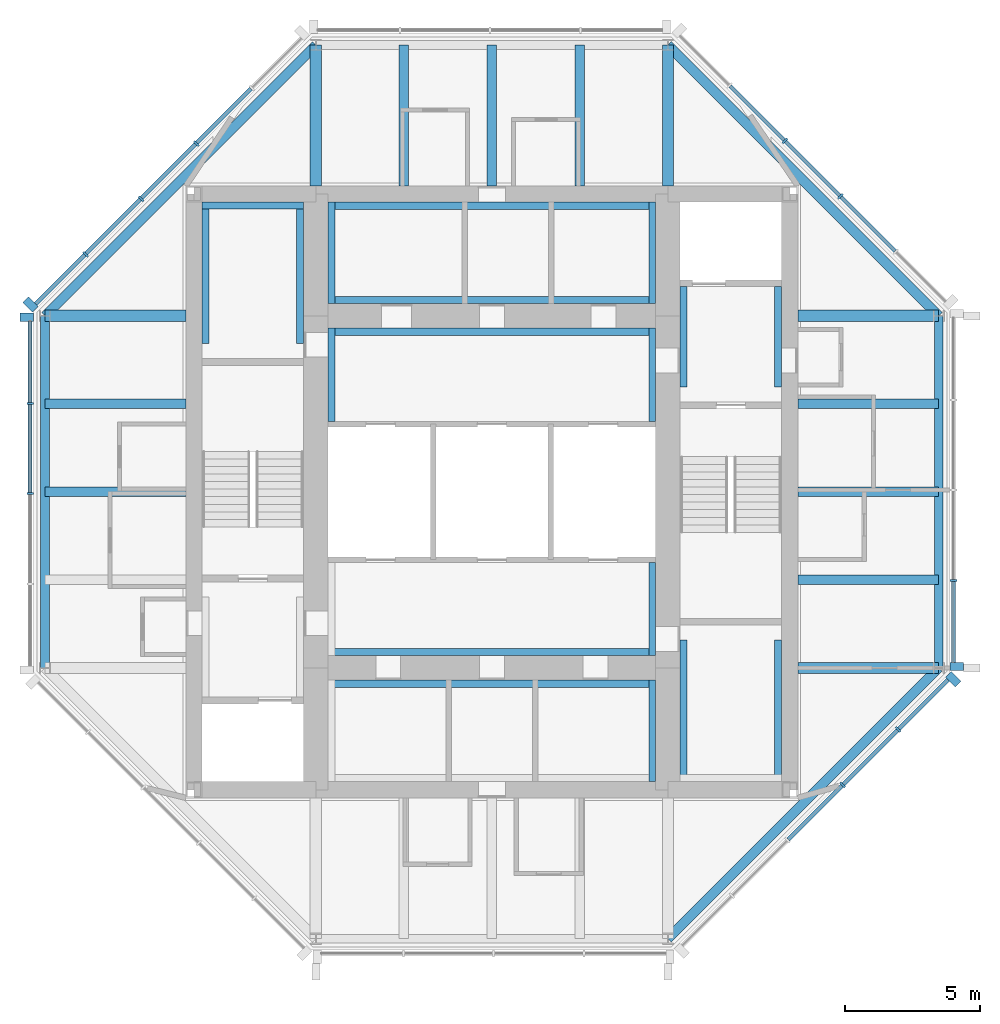
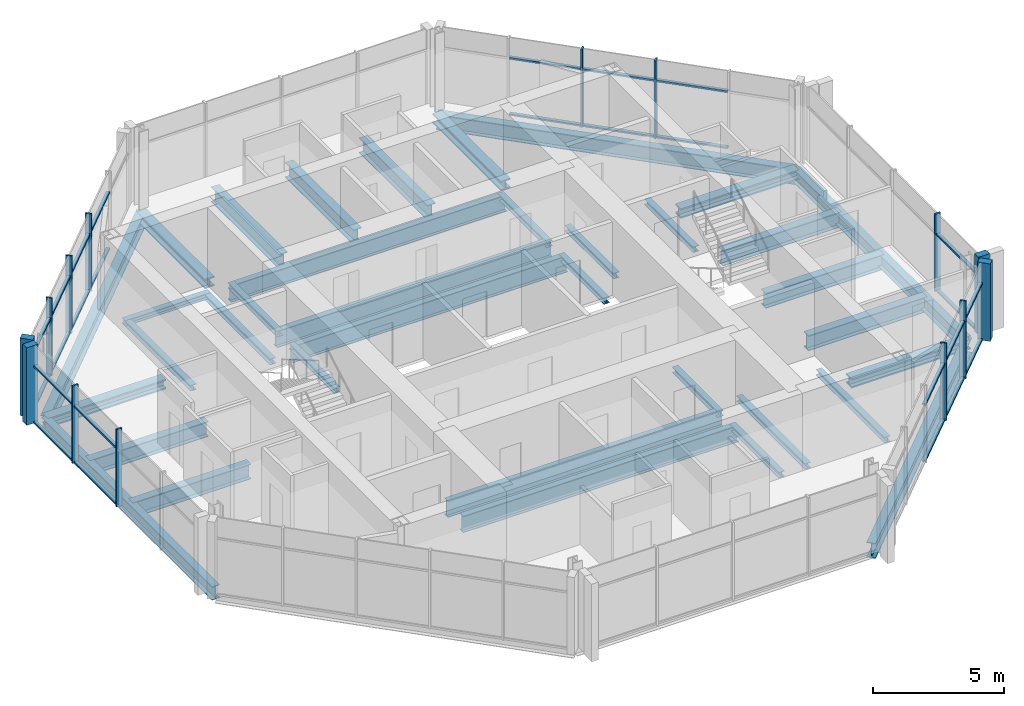
# One storey, part 2 of 8: 40 members, 36 beams, 5 elements without a shape of their own.
"""IFC4 building model written with IfcOpenShell, lengths in metres."""

from ifc_helpers import new_model, si_unit, direction, frame, origin, origin_2d, place, context, subcontext, project, spatial, rectangle, i_section, extrude, material, material_profile, profile_set, type_object, element, aggregate, save


model = new_model("IFC4")

# Units and contexts
model_context = context("Model", 3, precision=1e-05, world=origin(), true_north=direction((0.0, 1.0)))
body_context = subcontext(model_context, "Body", "Model", "MODEL_VIEW")
ifc_project = project(units=[si_unit("LENGTHUNIT", "METRE"), si_unit("AREAUNIT", "SQUARE_METRE"), si_unit("VOLUMEUNIT", "CUBIC_METRE"), si_unit("PLANEANGLEUNIT", "RADIAN"), si_unit("MASSUNIT", "GRAM", prefix="KILO")], contexts=[model_context])

# Site, building, storey
site_placement = place(None, origin())
site = spatial("IfcSite", under=ifc_project, at=site_placement, CompositionType="ELEMENT")
building_placement = place(site_placement, origin())
building = spatial("IfcBuilding", under=site, at=building_placement, Name="Trevanion Tower", CompositionType="ELEMENT")
storey_placement = place(building_placement, frame((0.0, 0.0, 270.39990234375)))
storey = spatial("IfcBuildingStorey", under=building, at=storey_placement, Name="L66", CompositionType="ELEMENT", Elevation=270.39990234375)

# Beams
ifc_material_1 = material(Name="Steel ASTM A992 Grade 50", Category="steel")
ifc_material_profile_1 = material_profile(ifc_material_1, i_section(OverallWidth=0.355712890625, OverallDepth=0.700927734375, WebThickness=0.016845703125, FlangeThickness=0.02734375, at=origin_2d()), Name="W27X161")
ifc_profile_set_1 = profile_set([ifc_material_profile_1], Name="Steel ASTM A992 Grade 50")
beam_type_1 = type_object("IfcBeamType", Name="B15 W27X161", PredefinedType="BEAM", material=ifc_profile_set_1)
for number, where, z_axis, x_axis, name in (
    (1, (11.300048828125, -3.25, -0.540283203125), (1.0, 0.0, 0.0), (0.0, 1.0, 0.0), "B15 L66"),
    (2, (11.300048828125, 0.0, -0.540283203125), (1.0, 0.0, 0.0), (0.0, 1.0, 0.0), "B15 L66"),
    (3, (11.300048828125, 3.25, -0.540283203125), (1.0, 0.0, 0.0), (0.0, 1.0, 0.0), "B15 L66"),
    (4, (3.25, 11.300048828125, -0.540283203125), (0.0, 1.0, 0.0), (-1.0, 0.0, 0.0), "B15 L66"),
    (5, (0.0, 11.300048828125, -0.540283203125), (0.0, 1.0, 0.0), (-1.0, 0.0, 0.0), "B15 L66"),
    (6, (-3.25, 11.300048828125, -0.540283203125), (0.0, 1.0, 0.0), (-1.0, 0.0, 0.0), "B15 L66"),
    (7, (-11.300048828125, 3.25, -0.540283203125), (-1.0, 0.0, 0.0), (0.0, -1.0, 0.0), "B15 L66"),
    (8, (-11.300048828125, 0.0, -0.540283203125), (-1.0, 0.0, 0.0), (0.0, -1.0, 0.0), "B15 L66"),
):
    element("IfcBeam", number, at=place(storey_placement, frame(where, z_axis=z_axis, x_axis=x_axis)), inside=storey, type_object=beam_type_1, Name=name, PredefinedType="BEAM", context=body_context, shape_type="SweptSolid", body=[
        extrude(i_section(OverallWidth=0.355712890625, OverallDepth=0.700927734375, WebThickness=0.016845703125, FlangeThickness=0.02734375, at=origin_2d()), origin(), (0.0, 0.0, 1.0), 5.199951171875),
    ])

# Curtain wall, member
ifc_material_2 = material(Name="Aluminium and glass", Category="aluminium")
curtain_wall_type = type_object("IfcCurtainWallType", Name="CW4 curtain wall", PredefinedType="USERDEFINED", material=ifc_material_2)
curtain_wall_1_placement = place(storey_placement, origin())
curtain_wall_1 = element("IfcCurtainWall", 9, at=curtain_wall_1_placement, inside=storey, type_object=curtain_wall_type, Name="CW4 L66 0", ObjectType="UNITISED CURTAIN WALL", PredefinedType="USERDEFINED")
ifc_material_3 = material(Name="Aluminium extrusion, anodised bronze", Category="aluminium")
ifc_material_profile_2 = material_profile(ifc_material_3, rectangle(XDim=0.074951171875, YDim=0.25, at=origin_2d()), Name="CW4 mullion")
ifc_profile_set_2 = profile_set([ifc_material_profile_2], Name="Aluminium extrusion, anodised bronze")
member_type_1 = type_object("IfcMemberType", Name="CW4 mullion", PredefinedType="MULLION", material=ifc_profile_set_2)
member_1_placement = place(storey_placement, frame((17.050048828125, -3.266357421875, -0.18994140625), z_axis=(0.0, 0.0, 1.0), x_axis=(0.0, 1.0, 0.0)))
member_1 = element("IfcMember", 10, at=member_1_placement, type_object=member_type_1, Name="CW4 mullion 2", PredefinedType="MULLION", context=body_context, shape_type="SweptSolid", body=[
    extrude(rectangle(XDim=0.074951171875, YDim=0.25, at=origin_2d()), origin(), (0.0, 0.0, 1.0), 3.60009765625),
])

# Curtain wall, members
curtain_wall_2_placement = place(storey_placement, origin())
curtain_wall_2 = element("IfcCurtainWall", 11, at=curtain_wall_2_placement, inside=storey, type_object=curtain_wall_type, Name="CW4 L66 1", ObjectType="UNITISED CURTAIN WALL", PredefinedType="USERDEFINED")
member_2_placement = place(storey_placement, frame((12.865966796875, 10.911865234375, -0.18994140625), z_axis=(0.0, 0.0, 1.0), x_axis=(-0.707106781187, 0.707106781187, 0.0)))
member_2 = element("IfcMember", 12, at=member_2_placement, type_object=member_type_1, Name="CW4 mullion 3", PredefinedType="MULLION", context=body_context, shape_type="SweptSolid", body=[
    extrude(rectangle(XDim=0.074951171875, YDim=0.25, at=origin_2d()), origin(), (0.0, 0.0, 1.0), 3.60009765625),
])
member_3_placement = place(storey_placement, frame((10.81982421875, 12.9580078125, -0.18994140625), z_axis=(0.0, 0.0, 1.0), x_axis=(-0.707106781187, 0.707106781187, 0.0)))
member_3 = element("IfcMember", 13, at=member_3_placement, type_object=member_type_1, Name="CW4 mullion 4", PredefinedType="MULLION", context=body_context, shape_type="SweptSolid", body=[
    extrude(rectangle(XDim=0.074951171875, YDim=0.25, at=origin_2d()), origin(), (0.0, 0.0, 1.0), 3.60009765625),
])

curtain_wall_3_placement = place(storey_placement, origin())
curtain_wall_3 = element("IfcCurtainWall", 14, at=curtain_wall_3_placement, inside=storey, type_object=curtain_wall_type, Name="CW4 L66 3", ObjectType="UNITISED CURTAIN WALL", PredefinedType="USERDEFINED")
member_4_placement = place(storey_placement, frame((-10.911865234375, 12.865966796875, -0.18994140625), z_axis=(0.0, 0.0, 1.0), x_axis=(-0.707106781187, -0.707106781187, 0.0)))
member_4 = element("IfcMember", 15, at=member_4_placement, type_object=member_type_1, Name="CW4 mullion 3", PredefinedType="MULLION", context=body_context, shape_type="SweptSolid", body=[
    extrude(rectangle(XDim=0.074951171875, YDim=0.25, at=origin_2d()), origin(), (0.0, 0.0, 1.0), 3.60009765625),
])
member_5_placement = place(storey_placement, frame((-12.9580078125, 10.81982421875, -0.18994140625), z_axis=(0.0, 0.0, 1.0), x_axis=(-0.707106781187, -0.707106781187, 0.0)))
member_5 = element("IfcMember", 16, at=member_5_placement, type_object=member_type_1, Name="CW4 mullion 4", PredefinedType="MULLION", context=body_context, shape_type="SweptSolid", body=[
    extrude(rectangle(XDim=0.074951171875, YDim=0.25, at=origin_2d()), origin(), (0.0, 0.0, 1.0), 3.60009765625),
])
member_6_placement = place(storey_placement, frame((-15.00390625, 8.77392578125, -0.18994140625), z_axis=(0.0, 0.0, 1.0), x_axis=(-0.707106781187, -0.707106781187, 0.0)))
member_6 = element("IfcMember", 17, at=member_6_placement, type_object=member_type_1, Name="CW4 mullion 5", PredefinedType="MULLION", context=body_context, shape_type="SweptSolid", body=[
    extrude(rectangle(XDim=0.074951171875, YDim=0.25, at=origin_2d()), origin(), (0.0, 0.0, 1.0), 3.60009765625),
])

curtain_wall_4_placement = place(storey_placement, origin())
curtain_wall_4 = element("IfcCurtainWall", 18, at=curtain_wall_4_placement, inside=storey, type_object=curtain_wall_type, Name="CW4 L66 4", ObjectType="UNITISED CURTAIN WALL", PredefinedType="USERDEFINED")
member_7_placement = place(storey_placement, frame((-17.050048828125, 3.266357421875, -0.18994140625), z_axis=(0.0, 0.0, 1.0), x_axis=(0.0, -1.0, 0.0)))
member_7 = element("IfcMember", 19, at=member_7_placement, type_object=member_type_1, Name="CW4 mullion 2", PredefinedType="MULLION", context=body_context, shape_type="SweptSolid", body=[
    extrude(rectangle(XDim=0.074951171875, YDim=0.25, at=origin_2d()), origin(), (0.0, 0.0, 1.0), 3.60009765625),
])
member_8_placement = place(storey_placement, frame((-17.050048828125, -0.06494140625, -0.18994140625), z_axis=(0.0, 0.0, 1.0), x_axis=(0.0, -1.0, 0.0)))
member_8 = element("IfcMember", 20, at=member_8_placement, type_object=member_type_1, Name="CW4 mullion 3", PredefinedType="MULLION", context=body_context, shape_type="SweptSolid", body=[
    extrude(rectangle(XDim=0.074951171875, YDim=0.25, at=origin_2d()), origin(), (0.0, 0.0, 1.0), 3.60009765625),
])

curtain_wall_5_placement = place(storey_placement, origin())
curtain_wall_5 = element("IfcCurtainWall", 21, at=curtain_wall_5_placement, inside=storey, type_object=curtain_wall_type, Name="CW4 L66 7", ObjectType="UNITISED CURTAIN WALL", PredefinedType="USERDEFINED")
member_9_placement = place(storey_placement, frame((12.9580078125, -10.81982421875, -0.18994140625), z_axis=(0.0, 0.0, 1.0), x_axis=(0.707106781187, 0.707106781187, 0.0)))
member_9 = element("IfcMember", 22, at=member_9_placement, type_object=member_type_1, Name="CW4 mullion 4", PredefinedType="MULLION", context=body_context, shape_type="SweptSolid", body=[
    extrude(rectangle(XDim=0.074951171875, YDim=0.25, at=origin_2d()), origin(), (0.0, 0.0, 1.0), 3.60009765625),
])
member_10_placement = place(storey_placement, frame((15.00390625, -8.77392578125, -0.18994140625), z_axis=(0.0, 0.0, 1.0), x_axis=(0.707106781187, 0.707106781187, 0.0)))
member_10 = element("IfcMember", 23, at=member_10_placement, type_object=member_type_1, Name="CW4 mullion 5", PredefinedType="MULLION", context=body_context, shape_type="SweptSolid", body=[
    extrude(rectangle(XDim=0.074951171875, YDim=0.25, at=origin_2d()), origin(), (0.0, 0.0, 1.0), 3.60009765625),
])

# Member
ifc_material_4 = material(Name="Aluminium extrusion, anodised bronze", Category="aluminium")
ifc_material_profile_3 = material_profile(ifc_material_4, rectangle(XDim=0.300048828125, YDim=0.5, at=origin_2d()), Name="CW4 pier mullion")
ifc_profile_set_3 = profile_set([ifc_material_profile_3], Name="Aluminium extrusion, anodised bronze")
member_type_2 = type_object("IfcMemberType", Name="CW4 pier mullion", PredefinedType="MULLION", material=ifc_profile_set_3)
member_11_placement = place(storey_placement, frame((17.175048828125, -6.44775390625, -0.18994140625), z_axis=(0.0, 0.0, 1.0), x_axis=(0.0, 1.0, 0.0)))
member_11 = element("IfcMember", 24, at=member_11_placement, type_object=member_type_2, Name="CW4 pier mullion 1", PredefinedType="MULLION", context=body_context, shape_type="SweptSolid", body=[
    extrude(rectangle(XDim=0.300048828125, YDim=0.5, at=origin_2d()), origin(), (0.0, 0.0, 1.0), 3.60009765625),
])

member_12_placement = place(storey_placement, frame((-17.0322265625, 6.92236328125, -0.18994140625), z_axis=(0.0, 0.0, 1.0), x_axis=(-0.707106781187, -0.707106781187, 0.0)))
member_12 = element("IfcMember", 25, at=member_12_placement, type_object=member_type_2, Name="CW4 pier mullion 6", PredefinedType="MULLION", context=body_context, shape_type="SweptSolid", body=[
    extrude(rectangle(XDim=0.300048828125, YDim=0.5, at=origin_2d()), origin(), (0.0, 0.0, 1.0), 3.60009765625),
])

member_13_placement = place(storey_placement, frame((-17.175048828125, 6.44775390625, -0.18994140625), z_axis=(0.0, 0.0, 1.0), x_axis=(0.0, -1.0, 0.0)))
member_13 = element("IfcMember", 26, at=member_13_placement, type_object=member_type_2, Name="CW4 pier mullion 1", PredefinedType="MULLION", context=body_context, shape_type="SweptSolid", body=[
    extrude(rectangle(XDim=0.300048828125, YDim=0.5, at=origin_2d()), origin(), (0.0, 0.0, 1.0), 3.60009765625),
])

member_14_placement = place(storey_placement, frame((17.0322265625, -6.92236328125, -0.18994140625), z_axis=(0.0, 0.0, 1.0), x_axis=(0.707106781187, 0.707106781187, 0.0)))
member_14 = element("IfcMember", 27, at=member_14_placement, type_object=member_type_2, Name="CW4 pier mullion 6", PredefinedType="MULLION", context=body_context, shape_type="SweptSolid", body=[
    extrude(rectangle(XDim=0.300048828125, YDim=0.5, at=origin_2d()), origin(), (0.0, 0.0, 1.0), 3.60009765625),
])

ifc_material_5 = material(Name="Aluminium extrusion, anodised bronze", Category="aluminium")
ifc_material_profile_4 = material_profile(ifc_material_5, rectangle(XDim=0.14990234375, YDim=0.074951171875, at=origin_2d()), Name="CW4 transom")
ifc_profile_set_4 = profile_set([ifc_material_profile_4], Name="Aluminium extrusion, anodised bronze")
member_type_3 = type_object("IfcMemberType", Name="CW4 transom", PredefinedType="USERDEFINED", material=ifc_profile_set_4)
member_15_placement = place(storey_placement, frame((17.050048828125, -6.2978515625, -0.15234375), z_axis=(0.0, 1.0, 0.0), x_axis=(-1.0, 0.0, 0.0)))
member_15 = element("IfcMember", 28, at=member_15_placement, type_object=member_type_3, Name="CW4 transom 1.1", ObjectType="TRANSOM", PredefinedType="USERDEFINED", context=body_context, shape_type="SweptSolid", body=[
    extrude(rectangle(XDim=0.14990234375, YDim=0.074951171875, at=origin_2d()), origin(), (0.0, 0.0, 1.0), 2.993896484375),
])

member_16_placement = place(storey_placement, frame((17.050048828125, -6.2978515625, 2.460205078125), z_axis=(0.0, 1.0, 0.0), x_axis=(-1.0, 0.0, 0.0)))
member_16 = element("IfcMember", 29, at=member_16_placement, type_object=member_type_3, Name="CW4 transom 1.2", ObjectType="TRANSOM", PredefinedType="USERDEFINED", context=body_context, shape_type="SweptSolid", body=[
    extrude(rectangle(XDim=0.14990234375, YDim=0.074951171875, at=origin_2d()), origin(), (0.0, 0.0, 1.0), 2.993896484375),
])

aggregate(curtain_wall_1, [member_11, member_1, member_15, member_16])

member_17_placement = place(storey_placement, frame((14.885498046875, 8.892333984375, -0.15234375), z_axis=(-0.707106781187, 0.707106781187, 0.0), x_axis=(-0.707106781187, -0.707106781187, 0.0)))
member_17 = element("IfcMember", 30, at=member_17_placement, type_object=member_type_3, Name="CW4 transom 2.1", ObjectType="TRANSOM", PredefinedType="USERDEFINED", context=body_context, shape_type="SweptSolid", body=[
    extrude(rectangle(XDim=0.14990234375, YDim=0.074951171875, at=origin_2d()), origin(), (0.0, 0.0, 1.0), 2.818359375),
])

member_18_placement = place(storey_placement, frame((14.885498046875, 8.892333984375, 2.460205078125), z_axis=(-0.707106781187, 0.707106781187, 0.0), x_axis=(-0.707106781187, -0.707106781187, 0.0)))
member_18 = element("IfcMember", 31, at=member_18_placement, type_object=member_type_3, Name="CW4 transom 2.2", ObjectType="TRANSOM", PredefinedType="USERDEFINED", context=body_context, shape_type="SweptSolid", body=[
    extrude(rectangle(XDim=0.14990234375, YDim=0.074951171875, at=origin_2d()), origin(), (0.0, 0.0, 1.0), 2.818359375),
])

member_19_placement = place(storey_placement, frame((12.839599609375, 10.9384765625, -0.15234375), z_axis=(-0.707150088905, 0.707063470815, 0.0), x_axis=(-0.707063470815, -0.707150088905, 0.0)))
member_19 = element("IfcMember", 32, at=member_19_placement, type_object=member_type_3, Name="CW4 transom 3.1", ObjectType="TRANSOM", PredefinedType="USERDEFINED", context=body_context, shape_type="SweptSolid", body=[
    extrude(rectangle(XDim=0.14990234375, YDim=0.074951171875, at=origin_2d()), origin(), (0.0, 0.0, 1.0), 2.818603515625),
])

member_20_placement = place(storey_placement, frame((12.839599609375, 10.9384765625, 2.460205078125), z_axis=(-0.707150088905, 0.707063470815, 0.0), x_axis=(-0.707063470815, -0.707150088905, 0.0)))
member_20 = element("IfcMember", 33, at=member_20_placement, type_object=member_type_3, Name="CW4 transom 3.2", ObjectType="TRANSOM", PredefinedType="USERDEFINED", context=body_context, shape_type="SweptSolid", body=[
    extrude(rectangle(XDim=0.14990234375, YDim=0.074951171875, at=origin_2d()), origin(), (0.0, 0.0, 1.0), 2.818603515625),
])

member_21_placement = place(storey_placement, frame((10.79345703125, 12.984375, -0.15234375), z_axis=(-0.707150088905, 0.707063470815, 0.0), x_axis=(-0.707063470815, -0.707150088905, 0.0)))
member_21 = element("IfcMember", 34, at=member_21_placement, type_object=member_type_3, Name="CW4 transom 4.1", ObjectType="TRANSOM", PredefinedType="USERDEFINED", context=body_context, shape_type="SweptSolid", body=[
    extrude(rectangle(XDim=0.14990234375, YDim=0.074951171875, at=origin_2d()), origin(), (0.0, 0.0, 1.0), 2.818603515625),
])

member_22_placement = place(storey_placement, frame((10.79345703125, 12.984375, 2.460205078125), z_axis=(-0.707150088905, 0.707063470815, 0.0), x_axis=(-0.707063470815, -0.707150088905, 0.0)))
member_22 = element("IfcMember", 35, at=member_22_placement, type_object=member_type_3, Name="CW4 transom 4.2", ObjectType="TRANSOM", PredefinedType="USERDEFINED", context=body_context, shape_type="SweptSolid", body=[
    extrude(rectangle(XDim=0.14990234375, YDim=0.074951171875, at=origin_2d()), origin(), (0.0, 0.0, 1.0), 2.818603515625),
])

aggregate(curtain_wall_2, [member_2, member_3, member_17, member_18, member_19, member_20, member_21, member_22])

member_23_placement = place(storey_placement, frame((-8.892333984375, 14.885498046875, -0.15234375), z_axis=(-0.707106781187, -0.707106781187, 0.0), x_axis=(0.707106781187, -0.707106781187, 0.0)))
member_23 = element("IfcMember", 36, at=member_23_placement, type_object=member_type_3, Name="CW4 transom 2.1", ObjectType="TRANSOM", PredefinedType="USERDEFINED", context=body_context, shape_type="SweptSolid", body=[
    extrude(rectangle(XDim=0.14990234375, YDim=0.074951171875, at=origin_2d()), origin(), (0.0, 0.0, 1.0), 2.818359375),
])

member_24_placement = place(storey_placement, frame((-8.892333984375, 14.885498046875, 2.460205078125), z_axis=(-0.707106781187, -0.707106781187, 0.0), x_axis=(0.707106781187, -0.707106781187, 0.0)))
member_24 = element("IfcMember", 37, at=member_24_placement, type_object=member_type_3, Name="CW4 transom 2.2", ObjectType="TRANSOM", PredefinedType="USERDEFINED", context=body_context, shape_type="SweptSolid", body=[
    extrude(rectangle(XDim=0.14990234375, YDim=0.074951171875, at=origin_2d()), origin(), (0.0, 0.0, 1.0), 2.818359375),
])

member_25_placement = place(storey_placement, frame((-10.9384765625, 12.839599609375, -0.15234375), z_axis=(-0.707063470815, -0.707150088905, 0.0), x_axis=(0.707150088905, -0.707063470815, 0.0)))
member_25 = element("IfcMember", 38, at=member_25_placement, type_object=member_type_3, Name="CW4 transom 3.1", ObjectType="TRANSOM", PredefinedType="USERDEFINED", context=body_context, shape_type="SweptSolid", body=[
    extrude(rectangle(XDim=0.14990234375, YDim=0.074951171875, at=origin_2d()), origin(), (0.0, 0.0, 1.0), 2.818603515625),
])

member_26_placement = place(storey_placement, frame((-10.9384765625, 12.839599609375, 2.460205078125), z_axis=(-0.707063470815, -0.707150088905, 0.0), x_axis=(0.707150088905, -0.707063470815, 0.0)))
member_26 = element("IfcMember", 39, at=member_26_placement, type_object=member_type_3, Name="CW4 transom 3.2", ObjectType="TRANSOM", PredefinedType="USERDEFINED", context=body_context, shape_type="SweptSolid", body=[
    extrude(rectangle(XDim=0.14990234375, YDim=0.074951171875, at=origin_2d()), origin(), (0.0, 0.0, 1.0), 2.818603515625),
])

member_27_placement = place(storey_placement, frame((-12.984375, 10.79345703125, -0.15234375), z_axis=(-0.707063470815, -0.707150088905, 0.0), x_axis=(0.707150088905, -0.707063470815, 0.0)))
member_27 = element("IfcMember", 40, at=member_27_placement, type_object=member_type_3, Name="CW4 transom 4.1", ObjectType="TRANSOM", PredefinedType="USERDEFINED", context=body_context, shape_type="SweptSolid", body=[
    extrude(rectangle(XDim=0.14990234375, YDim=0.074951171875, at=origin_2d()), origin(), (0.0, 0.0, 1.0), 2.818603515625),
])

member_28_placement = place(storey_placement, frame((-12.984375, 10.79345703125, 2.460205078125), z_axis=(-0.707063470815, -0.707150088905, 0.0), x_axis=(0.707150088905, -0.707063470815, 0.0)))
member_28 = element("IfcMember", 41, at=member_28_placement, type_object=member_type_3, Name="CW4 transom 4.2", ObjectType="TRANSOM", PredefinedType="USERDEFINED", context=body_context, shape_type="SweptSolid", body=[
    extrude(rectangle(XDim=0.14990234375, YDim=0.074951171875, at=origin_2d()), origin(), (0.0, 0.0, 1.0), 2.818603515625),
])

member_29_placement = place(storey_placement, frame((-15.030517578125, 8.747314453125, -0.15234375), z_axis=(-0.707106781187, -0.707106781187, 0.0), x_axis=(0.707106781187, -0.707106781187, 0.0)))
member_29 = element("IfcMember", 42, at=member_29_placement, type_object=member_type_3, Name="CW4 transom 5.1", ObjectType="TRANSOM", PredefinedType="USERDEFINED", context=body_context, shape_type="SweptSolid", body=[
    extrude(rectangle(XDim=0.14990234375, YDim=0.074951171875, at=origin_2d()), origin(), (0.0, 0.0, 1.0), 2.555908203125),
])

member_30_placement = place(storey_placement, frame((-15.030517578125, 8.747314453125, 2.460205078125), z_axis=(-0.707106781187, -0.707106781187, 0.0), x_axis=(0.707106781187, -0.707106781187, 0.0)))
member_30 = element("IfcMember", 43, at=member_30_placement, type_object=member_type_3, Name="CW4 transom 5.2", ObjectType="TRANSOM", PredefinedType="USERDEFINED", context=body_context, shape_type="SweptSolid", body=[
    extrude(rectangle(XDim=0.14990234375, YDim=0.074951171875, at=origin_2d()), origin(), (0.0, 0.0, 1.0), 2.555908203125),
])

aggregate(curtain_wall_3, [member_4, member_5, member_6, member_12, member_23, member_24, member_25, member_26, member_27, member_28, member_29, member_30])

member_31_placement = place(storey_placement, frame((-17.050048828125, 6.2978515625, -0.15234375), z_axis=(0.0, -1.0, 0.0), x_axis=(1.0, 0.0, 0.0)))
member_31 = element("IfcMember", 44, at=member_31_placement, type_object=member_type_3, Name="CW4 transom 1.1", ObjectType="TRANSOM", PredefinedType="USERDEFINED", context=body_context, shape_type="SweptSolid", body=[
    extrude(rectangle(XDim=0.14990234375, YDim=0.074951171875, at=origin_2d()), origin(), (0.0, 0.0, 1.0), 2.993896484375),
])

member_32_placement = place(storey_placement, frame((-17.050048828125, 6.2978515625, 2.460205078125), z_axis=(0.0, -1.0, 0.0), x_axis=(1.0, 0.0, 0.0)))
member_32 = element("IfcMember", 45, at=member_32_placement, type_object=member_type_3, Name="CW4 transom 1.2", ObjectType="TRANSOM", PredefinedType="USERDEFINED", context=body_context, shape_type="SweptSolid", body=[
    extrude(rectangle(XDim=0.14990234375, YDim=0.074951171875, at=origin_2d()), origin(), (0.0, 0.0, 1.0), 2.993896484375),
])

member_33_placement = place(storey_placement, frame((-17.050048828125, 3.22900390625, -0.15234375), z_axis=(0.0, -1.0, 0.0), x_axis=(1.0, 0.0, 0.0)))
member_33 = element("IfcMember", 46, at=member_33_placement, type_object=member_type_3, Name="CW4 transom 2.1", ObjectType="TRANSOM", PredefinedType="USERDEFINED", context=body_context, shape_type="SweptSolid", body=[
    extrude(rectangle(XDim=0.14990234375, YDim=0.074951171875, at=origin_2d()), origin(), (0.0, 0.0, 1.0), 3.256591796875),
])

member_34_placement = place(storey_placement, frame((-17.050048828125, 3.22900390625, 2.460205078125), z_axis=(0.0, -1.0, 0.0), x_axis=(1.0, 0.0, 0.0)))
member_34 = element("IfcMember", 47, at=member_34_placement, type_object=member_type_3, Name="CW4 transom 2.2", ObjectType="TRANSOM", PredefinedType="USERDEFINED", context=body_context, shape_type="SweptSolid", body=[
    extrude(rectangle(XDim=0.14990234375, YDim=0.074951171875, at=origin_2d()), origin(), (0.0, 0.0, 1.0), 3.256591796875),
])

aggregate(curtain_wall_4, [member_13, member_7, member_8, member_31, member_32, member_33, member_34])

member_35_placement = place(storey_placement, frame((10.9384765625, -12.839599609375, -0.15234375), z_axis=(0.707063470815, 0.707150088905, 0.0), x_axis=(-0.707150088905, 0.707063470815, 0.0)))
member_35 = element("IfcMember", 48, at=member_35_placement, type_object=member_type_3, Name="CW4 transom 3.1", ObjectType="TRANSOM", PredefinedType="USERDEFINED", context=body_context, shape_type="SweptSolid", body=[
    extrude(rectangle(XDim=0.14990234375, YDim=0.074951171875, at=origin_2d()), origin(), (0.0, 0.0, 1.0), 2.818603515625),
])

member_36_placement = place(storey_placement, frame((10.9384765625, -12.839599609375, 2.460205078125), z_axis=(0.707063470815, 0.707150088905, 0.0), x_axis=(-0.707150088905, 0.707063470815, 0.0)))
member_36 = element("IfcMember", 49, at=member_36_placement, type_object=member_type_3, Name="CW4 transom 3.2", ObjectType="TRANSOM", PredefinedType="USERDEFINED", context=body_context, shape_type="SweptSolid", body=[
    extrude(rectangle(XDim=0.14990234375, YDim=0.074951171875, at=origin_2d()), origin(), (0.0, 0.0, 1.0), 2.818603515625),
])

member_37_placement = place(storey_placement, frame((12.984375, -10.79345703125, -0.15234375), z_axis=(0.707063470815, 0.707150088905, 0.0), x_axis=(-0.707150088905, 0.707063470815, 0.0)))
member_37 = element("IfcMember", 50, at=member_37_placement, type_object=member_type_3, Name="CW4 transom 4.1", ObjectType="TRANSOM", PredefinedType="USERDEFINED", context=body_context, shape_type="SweptSolid", body=[
    extrude(rectangle(XDim=0.14990234375, YDim=0.074951171875, at=origin_2d()), origin(), (0.0, 0.0, 1.0), 2.818603515625),
])

member_38_placement = place(storey_placement, frame((12.984375, -10.79345703125, 2.460205078125), z_axis=(0.707063470815, 0.707150088905, 0.0), x_axis=(-0.707150088905, 0.707063470815, 0.0)))
member_38 = element("IfcMember", 51, at=member_38_placement, type_object=member_type_3, Name="CW4 transom 4.2", ObjectType="TRANSOM", PredefinedType="USERDEFINED", context=body_context, shape_type="SweptSolid", body=[
    extrude(rectangle(XDim=0.14990234375, YDim=0.074951171875, at=origin_2d()), origin(), (0.0, 0.0, 1.0), 2.818603515625),
])

member_39_placement = place(storey_placement, frame((15.030517578125, -8.747314453125, -0.15234375), z_axis=(0.707106781187, 0.707106781187, 0.0), x_axis=(-0.707106781187, 0.707106781187, 0.0)))
member_39 = element("IfcMember", 52, at=member_39_placement, type_object=member_type_3, Name="CW4 transom 5.1", ObjectType="TRANSOM", PredefinedType="USERDEFINED", context=body_context, shape_type="SweptSolid", body=[
    extrude(rectangle(XDim=0.14990234375, YDim=0.074951171875, at=origin_2d()), origin(), (0.0, 0.0, 1.0), 2.555908203125),
])

member_40_placement = place(storey_placement, frame((15.030517578125, -8.747314453125, 2.460205078125), z_axis=(0.707106781187, 0.707106781187, 0.0), x_axis=(-0.707106781187, 0.707106781187, 0.0)))
member_40 = element("IfcMember", 53, at=member_40_placement, type_object=member_type_3, Name="CW4 transom 5.2", ObjectType="TRANSOM", PredefinedType="USERDEFINED", context=body_context, shape_type="SweptSolid", body=[
    extrude(rectangle(XDim=0.14990234375, YDim=0.074951171875, at=origin_2d()), origin(), (0.0, 0.0, 1.0), 2.555908203125),
])

aggregate(curtain_wall_5, [member_9, member_10, member_14, member_35, member_36, member_37, member_38, member_39, member_40])

# Beams
ifc_material_6 = material(Name="Steel ASTM A992 Grade 50", Category="steel")
ifc_material_profile_5 = material_profile(ifc_material_6, i_section(OverallWidth=0.41650390625, OverallDepth=0.444580078125, WebThickness=0.0390625, FlangeThickness=0.062744140625, at=origin_2d()), Name="W14X342")
ifc_profile_set_5 = profile_set([ifc_material_profile_5], Name="Steel ASTM A992 Grade 50")
beam_type_2 = type_object("IfcBeamType", Name="G8 W14X342", PredefinedType="BEAM", material=ifc_profile_set_5)
for number, where, z_axis, x_axis, name in (
    (54, (11.300048828125, -6.5, -0.412109375), (1.0, 0.0, 0.0), (0.0, 1.0, 0.0), "G8 L66"),
    (55, (11.300048828125, 6.5, -0.412109375), (1.0, 0.0, 0.0), (0.0, 1.0, 0.0), "G8 L66"),
    (56, (6.5, 11.300048828125, -0.412109375), (0.0, 1.0, 0.0), (-1.0, 0.0, 0.0), "G8 L66"),
    (57, (-6.5, 11.300048828125, -0.412109375), (0.0, 1.0, 0.0), (-1.0, 0.0, 0.0), "G8 L66"),
    (58, (-11.300048828125, 6.5, -0.412109375), (-1.0, 0.0, 0.0), (0.0, -1.0, 0.0), "G8 L66"),
):
    element("IfcBeam", number, at=place(storey_placement, frame(where, z_axis=z_axis, x_axis=x_axis)), inside=storey, type_object=beam_type_2, Name=name, PredefinedType="BEAM", context=body_context, shape_type="SweptSolid", body=[
        extrude(i_section(OverallWidth=0.41650390625, OverallDepth=0.444580078125, WebThickness=0.0390625, FlangeThickness=0.062744140625, at=origin_2d()), origin(), (0.0, 0.0, 1.0), 5.199951171875),
    ])
ifc_material_7 = material(Name="Steel ASTM A992 Grade 50", Category="steel")
ifc_material_profile_6 = material_profile(ifc_material_7, i_section(OverallWidth=0.256591796875, OverallDepth=0.26416015625, WebThickness=0.011962890625, FlangeThickness=0.01953125, at=origin_2d()), Name="W10X68")
ifc_profile_set_6 = profile_set([ifc_material_profile_6], Name="Steel ASTM A992 Grade 50")
beam_type_3 = type_object("IfcBeamType", Name="LB1 W10X68", PredefinedType="BEAM", material=ifc_profile_set_6)
for number, where, z_axis, x_axis, name in (
    (59, (-5.921630859375, 2.60009765625, -0.33203125), (0.0, 1.0, 0.0), (-1.0, 0.0, 0.0), "LB1 L66"),
    (60, (5.921630859375, 2.60009765625, -0.33203125), (0.0, 1.0, 0.0), (-1.0, 0.0, 0.0), "LB1 L66"),
    (61, (5.921630859375, -6.050048828125, -0.33203125), (0.0, 1.0, 0.0), (-1.0, 0.0, 0.0), "LB1 L66"),
):
    element("IfcBeam", number, at=place(storey_placement, frame(where, z_axis=z_axis, x_axis=x_axis)), inside=storey, type_object=beam_type_3, Name=name, PredefinedType="BEAM", context=body_context, shape_type="SweptSolid", body=[
        extrude(i_section(OverallWidth=0.256591796875, OverallDepth=0.26416015625, WebThickness=0.011962890625, FlangeThickness=0.01953125, at=origin_2d()), origin(), (0.0, 0.0, 1.0), 3.449951171875),
    ])
for number, where, z_axis, x_axis, name in (
    (62, (7.078369140625, 3.875, -0.33203125), (0.0, 1.0, 0.0), (-1.0, 0.0, 0.0), "LB1 L66"),
    (63, (10.57177734375, 3.875, -0.33203125), (0.0, 1.0, 0.0), (-1.0, 0.0, 0.0), "LB1 L66"),
):
    element("IfcBeam", number, at=place(storey_placement, frame(where, z_axis=z_axis, x_axis=x_axis)), inside=storey, type_object=beam_type_3, Name=name, PredefinedType="BEAM", context=body_context, shape_type="SweptSolid", body=[
        extrude(i_section(OverallWidth=0.256591796875, OverallDepth=0.26416015625, WebThickness=0.011962890625, FlangeThickness=0.01953125, at=origin_2d()), origin(), (0.0, 0.0, 1.0), 3.699951171875),
    ])
for number, where, z_axis, x_axis, name in (
    (64, (7.078369140625, -10.699951171875, -0.33203125), (0.0, 1.0, 0.0), (-1.0, 0.0, 0.0), "LB1 L66"),
    (65, (10.57177734375, -10.699951171875, -0.33203125), (0.0, 1.0, 0.0), (-1.0, 0.0, 0.0), "LB1 L66"),
    (66, (-10.57177734375, 5.47509765625, -0.33203125), (0.0, 1.0, 0.0), (-1.0, 0.0, 0.0), "LB1 L66"),
    (67, (-7.078369140625, 5.47509765625, -0.33203125), (0.0, 1.0, 0.0), (-1.0, 0.0, 0.0), "LB1 L66"),
):
    element("IfcBeam", number, at=place(storey_placement, frame(where, z_axis=z_axis, x_axis=x_axis)), inside=storey, type_object=beam_type_3, Name=name, PredefinedType="BEAM", context=body_context, shape_type="SweptSolid", body=[
        extrude(i_section(OverallWidth=0.256591796875, OverallDepth=0.26416015625, WebThickness=0.011962890625, FlangeThickness=0.01953125, at=origin_2d()), origin(), (0.0, 0.0, 1.0), 5.224853515625),
    ])
for number, where, z_axis, x_axis, name in (
    (68, (-10.699951171875, 10.57177734375, -0.33203125), (1.0, 0.0, 0.0), (0.0, 1.0, 0.0), "LB1 L66"),
    (69, (-5.921630859375, 6.949951171875, -0.33203125), (0.0, 1.0, 0.0), (-1.0, 0.0, 0.0), "LB1 L66"),
    (70, (5.921630859375, 6.949951171875, -0.33203125), (0.0, 1.0, 0.0), (-1.0, 0.0, 0.0), "LB1 L66"),
    (71, (5.921630859375, -10.699951171875, -0.33203125), (0.0, 1.0, 0.0), (-1.0, 0.0, 0.0), "LB1 L66"),
):
    element("IfcBeam", number, at=place(storey_placement, frame(where, z_axis=z_axis, x_axis=x_axis)), inside=storey, type_object=beam_type_3, Name=name, PredefinedType="BEAM", context=body_context, shape_type="SweptSolid", body=[
        extrude(i_section(OverallWidth=0.256591796875, OverallDepth=0.26416015625, WebThickness=0.011962890625, FlangeThickness=0.01953125, at=origin_2d()), origin(), (0.0, 0.0, 1.0), 3.75),
    ])
ifc_material_8 = material(Name="Steel ASTM A992 Grade 50", Category="steel")
ifc_material_profile_7 = material_profile(ifc_material_8, i_section(OverallWidth=0.2666015625, OverallDepth=0.76953125, WebThickness=0.015625, FlangeThickness=0.025390625, at=origin_2d()), Name="W30X132")
ifc_profile_set_7 = profile_set([ifc_material_profile_7], Name="Steel ASTM A992 Grade 50")
beam_type_4 = type_object("IfcBeamType", Name="LB3 W30X132", PredefinedType="BEAM", material=ifc_profile_set_7)
for number, where, z_axis, x_axis, name in (
    (72, (-6.050048828125, 5.91650390625, -0.584716796875), (1.0, 0.0, 0.0), (0.0, 1.0, 0.0), "LB3 L66"),
    (73, (-6.050048828125, -5.91650390625, -0.584716796875), (1.0, 0.0, 0.0), (0.0, 1.0, 0.0), "LB3 L66"),
    (74, (-6.050048828125, 7.08349609375, -0.584716796875), (1.0, 0.0, 0.0), (0.0, 1.0, 0.0), "LB3 L66"),
    (75, (-6.050048828125, 10.566650390625, -0.584716796875), (1.0, 0.0, 0.0), (0.0, 1.0, 0.0), "LB3 L66"),
    (76, (-6.050048828125, -7.08349609375, -0.584716796875), (1.0, 0.0, 0.0), (0.0, 1.0, 0.0), "LB3 L66"),
):
    element("IfcBeam", number, at=place(storey_placement, frame(where, z_axis=z_axis, x_axis=x_axis)), inside=storey, type_object=beam_type_4, Name=name, PredefinedType="BEAM", context=body_context, shape_type="SweptSolid", body=[
        extrude(i_section(OverallWidth=0.2666015625, OverallDepth=0.76953125, WebThickness=0.015625, FlangeThickness=0.025390625, at=origin_2d()), origin(), (0.0, 0.0, 1.0), 12.10009765625),
    ])
ifc_material_9 = material(Name="Steel ASTM A992 Grade 50", Category="steel")
ifc_material_profile_8 = material_profile(ifc_material_9, i_section(OverallWidth=0.32763671875, OverallDepth=0.622314453125, WebThickness=0.015380859375, FlangeThickness=0.0244140625, at=origin_2d()), Name="W24X131")
ifc_profile_set_8 = profile_set([ifc_material_profile_8], Name="Steel ASTM A992 Grade 50")
beam_type_5 = type_object("IfcBeamType", Name="SB12 W24X131", PredefinedType="SPANDREL", material=ifc_profile_set_8)
for number, where, z_axis, x_axis, name in (
    (77, (16.5, -6.5, -0.501220703125), (0.0, 1.0, 0.0), (-1.0, 0.0, 0.0), "SB12 L66"),
    (78, (-16.5, 6.5, -0.501220703125), (0.0, -1.0, 0.0), (1.0, 0.0, 0.0), "SB12 L66"),
):
    element("IfcBeam", number, at=place(storey_placement, frame(where, z_axis=z_axis, x_axis=x_axis)), inside=storey, type_object=beam_type_5, Name=name, PredefinedType="SPANDREL", context=body_context, shape_type="SweptSolid", body=[
        extrude(i_section(OverallWidth=0.32763671875, OverallDepth=0.622314453125, WebThickness=0.015380859375, FlangeThickness=0.0244140625, at=origin_2d()), origin(), (0.0, 0.0, 1.0), 13.0),
    ])
ifc_material_10 = material(Name="Steel ASTM A992 Grade 50", Category="steel")
ifc_material_profile_9 = material_profile(ifc_material_10, i_section(OverallWidth=0.358154296875, OverallDepth=0.7060546875, WebThickness=0.018310546875, FlangeThickness=0.0302734375, at=origin_2d()), Name="W27X178")
ifc_profile_set_9 = profile_set([ifc_material_profile_9], Name="Steel ASTM A992 Grade 50")
beam_type_6 = type_object("IfcBeamType", Name="SB13 W27X178", PredefinedType="SPANDREL", material=ifc_profile_set_9)
for number, where, z_axis, x_axis, name in (
    (79, (16.5, 6.5, -0.54296875), (-0.707106781187, 0.707106781187, 0.0), (-0.707106781187, -0.707106781187, 0.0), "SB13 L66"),
    (80, (-6.5, 16.5, -0.54296875), (-0.707106781187, -0.707106781187, 0.0), (0.707106781187, -0.707106781187, 0.0), "SB13 L66"),
    (81, (6.5, -16.5, -0.54296875), (0.707106781187, 0.707106781187, 0.0), (-0.707106781187, 0.707106781187, 0.0), "SB13 L66"),
):
    element("IfcBeam", number, at=place(storey_placement, frame(where, z_axis=z_axis, x_axis=x_axis)), inside=storey, type_object=beam_type_6, Name=name, PredefinedType="SPANDREL", context=body_context, shape_type="SweptSolid", body=[
        extrude(i_section(OverallWidth=0.358154296875, OverallDepth=0.7060546875, WebThickness=0.018310546875, FlangeThickness=0.0302734375, at=origin_2d()), origin(), (0.0, 0.0, 1.0), 14.14208984375),
    ])

save(model, "model.ifc")
